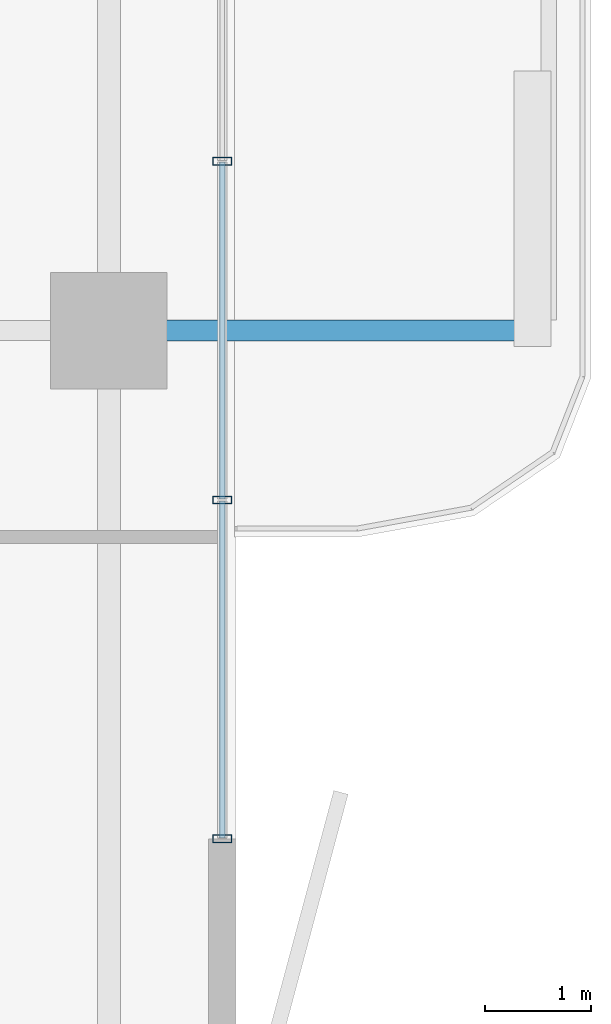
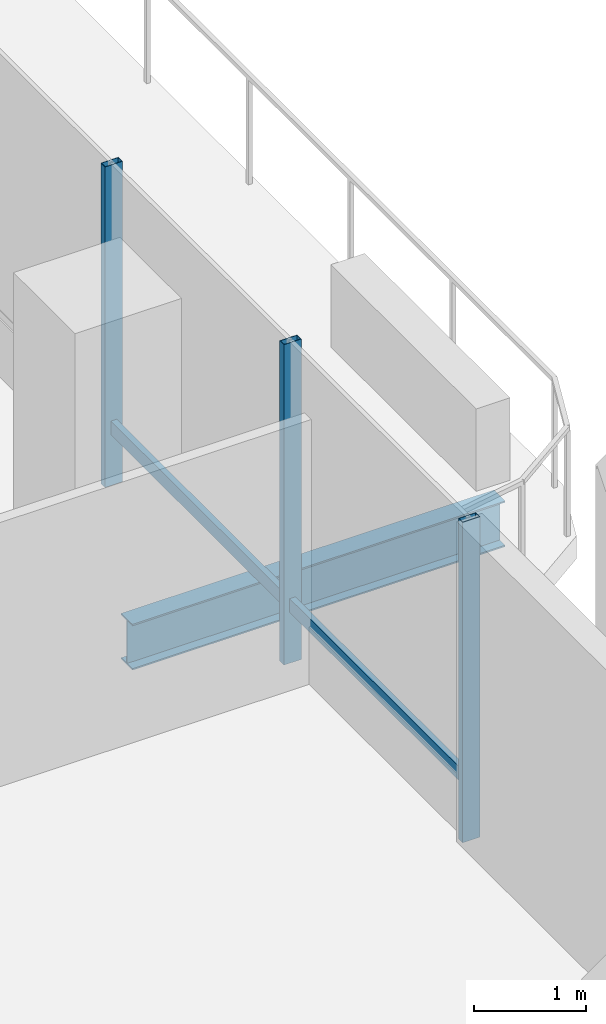
# One storey, part 8 of 24: 5 members, 1 beam, 1 element without a shape of its own.
"""IFC4 building model written with IfcOpenShell, lengths in metres."""

from ifc_helpers import new_model, si_unit, direction, frame, origin, origin_2d, place, context, subcontext, project, spatial, hollow_rectangle, i_section, extrude, material, layer, layer_set, material_profile, profile_set, type_object, element, aggregate, save


model = new_model("IFC4")

# Units and contexts
model_context = context("Model", 3, precision=1e-05, world=origin(), true_north=direction((0.0, 1.0)))
body_context = subcontext(model_context, "Body", "Model", "MODEL_VIEW")
ifc_project = project(units=[si_unit("LENGTHUNIT", "METRE"), si_unit("AREAUNIT", "SQUARE_METRE"), si_unit("VOLUMEUNIT", "CUBIC_METRE"), si_unit("PLANEANGLEUNIT", "RADIAN"), si_unit("MASSUNIT", "GRAM", prefix="KILO")], contexts=[model_context])

# Site, building, storey
site_placement = place(None, origin())
site = spatial("IfcSite", under=ifc_project, at=site_placement, CompositionType="ELEMENT")
building_placement = place(site_placement, origin())
building = spatial("IfcBuilding", under=site, at=building_placement, Name="Belovzor Exchange Tower", CompositionType="ELEMENT")
storey_placement = place(building_placement, frame((0.0, 0.0, 203.699951171875)))
storey = spatial("IfcBuildingStorey", under=building, at=storey_placement, Name="L50", CompositionType="ELEMENT", Elevation=203.699951171875)

# Beam
ifc_material_1 = material(Name="Steel S355", Category="steel")
ifc_material_profile_1 = material_profile(ifc_material_1, i_section(OverallWidth=0.199951171875, OverallDepth=0.5, WebThickness=0.01025390625, FlangeThickness=0.01611328125, at=origin_2d()))
ifc_profile_set_1 = profile_set([ifc_material_profile_1], Name="Steel S355")
beam_type = type_object("IfcBeamType", Name="Planted Balcony Cantilever Beam IPE 500", PredefinedType="BEAM", material=ifc_profile_set_1)
beam_placement = place(storey_placement, frame((54.903076171875, 28.800048828125, -0.5), z_axis=(1.0, 0.0, 0.0), x_axis=(0.0, 1.0, 0.0)))
element("IfcBeam", 1, at=beam_placement, inside=storey, type_object=beam_type, Name="BC-500 Planted Balcony Cantilever Beam IPE 500", PredefinedType="BEAM", context=body_context, shape_type="SweptSolid", body=[
    extrude(i_section(OverallWidth=0.199951171875, OverallDepth=0.5, WebThickness=0.01025390625, FlangeThickness=0.01611328125, at=origin_2d()), origin(), (0.0, 0.0, 1.0), 3.849853515625),
])

# Curtain wall, members
ifc_material_2 = material(Name="Anodised Aluminium Framing", Category="aluminium")
ifc_layer = layer(ifc_material_2, 0.179931640625)
ifc_layer_set = layer_set([ifc_layer], Name="Anodised Aluminium Framing")
curtain_wall_type = type_object("IfcCurtainWallType", Name="Recessed Loggia Low-Iron Triple-Glazed Curtain Wall", PredefinedType="NOTDEFINED", material=ifc_layer_set)
curtain_wall_placement = place(storey_placement, origin())
curtain_wall = element("IfcCurtainWall", 2, at=curtain_wall_placement, inside=storey, type_object=curtain_wall_type, Name="CW3 Recessed Loggia Low-Iron Triple-Glazed Curtain Wall L50", PredefinedType="NOTDEFINED")
ifc_material_3 = material(Name="Steel S355", Category="steel")
ifc_material_profile_2 = material_profile(ifc_material_3, hollow_rectangle(XDim=0.074951171875, YDim=0.179931640625, WallThickness=0.0048828125, at=origin_2d()))
ifc_profile_set_2 = profile_set([ifc_material_profile_2], Name="Steel S355")
member_type_1 = type_object("IfcMemberType", Name="Thermally Broken Curtain Wall Mullion 180x75", PredefinedType="MULLION", material=ifc_profile_set_2)
member_1_placement = place(storey_placement, frame((55.669921875, 30.39990234375, 0.0), z_axis=(0.0, 0.0, 1.0), x_axis=(0.0, -1.0, 0.0)))
member_1 = element("IfcMember", 3, at=member_1_placement, type_object=member_type_1, Name="CW-M180 Curtain Wall Mullion 2", PredefinedType="MULLION", context=body_context, shape_type="SweptSolid", body=[
    extrude(hollow_rectangle(XDim=0.074951171875, YDim=0.179931640625, WallThickness=0.0048828125, at=origin_2d()), origin(), (0.0, 0.0, 1.0), 3.5),
])
member_2_placement = place(storey_placement, frame((55.669921875, 27.199951171875, 0.0), z_axis=(0.0, 0.0, 1.0), x_axis=(0.0, -1.0, 0.0)))
member_2 = element("IfcMember", 4, at=member_2_placement, type_object=member_type_1, Name="CW-M180 Curtain Wall Mullion 3", PredefinedType="MULLION", context=body_context, shape_type="SweptSolid", body=[
    extrude(hollow_rectangle(XDim=0.074951171875, YDim=0.179931640625, WallThickness=0.0048828125, at=origin_2d()), origin(), (0.0, 0.0, 1.0), 3.5),
])
member_3_placement = place(storey_placement, frame((55.669921875, 24.0, 0.0), z_axis=(0.0, 0.0, 1.0), x_axis=(0.0, -1.0, 0.0)))
member_3 = element("IfcMember", 5, at=member_3_placement, type_object=member_type_1, Name="CW-M180 Curtain Wall Mullion 4", PredefinedType="MULLION", context=body_context, shape_type="SweptSolid", body=[
    extrude(hollow_rectangle(XDim=0.074951171875, YDim=0.179931640625, WallThickness=0.0048828125, at=origin_2d()), origin(), (0.0, 0.0, 1.0), 3.5),
])
ifc_material_4 = material(Name="Steel S355", Category="steel")
ifc_material_profile_3 = material_profile(ifc_material_4, hollow_rectangle(XDim=0.06005859375, YDim=0.14990234375, WallThickness=0.00390625, at=origin_2d()))
ifc_profile_set_3 = profile_set([ifc_material_profile_3], Name="Steel S355")
member_type_2 = type_object("IfcMemberType", Name="Thermally Broken Curtain Wall Transom 150x60", PredefinedType="USERDEFINED", material=ifc_profile_set_3)
member_4_placement = place(storey_placement, frame((55.669921875, 30.39208984375, 0.630126953125), z_axis=(0.0, -1.0, 0.0), x_axis=(1.0, 0.0, 0.0)))
member_4 = element("IfcMember", 6, at=member_4_placement, type_object=member_type_2, Name="CW-T150 Curtain Wall Transom 2", ObjectType="TRANSOM", PredefinedType="USERDEFINED", context=body_context, shape_type="SweptSolid", body=[
    extrude(hollow_rectangle(XDim=0.06005859375, YDim=0.14990234375, WallThickness=0.00390625, at=origin_2d()), origin(), (0.0, 0.0, 1.0), 3.18408203125),
])
member_5_placement = place(storey_placement, frame((55.669921875, 27.19189453125, 0.630126953125), z_axis=(0.0, -1.0, 0.0), x_axis=(1.0, 0.0, 0.0)))
member_5 = element("IfcMember", 7, at=member_5_placement, type_object=member_type_2, Name="CW-T150 Curtain Wall Transom 3", ObjectType="TRANSOM", PredefinedType="USERDEFINED", context=body_context, shape_type="SweptSolid", body=[
    extrude(hollow_rectangle(XDim=0.06005859375, YDim=0.14990234375, WallThickness=0.00390625, at=origin_2d()), origin(), (0.0, 0.0, 1.0), 3.183837890625),
])
aggregate(curtain_wall, [member_1, member_2, member_3, member_4, member_5])

save(model, "model.ifc")
